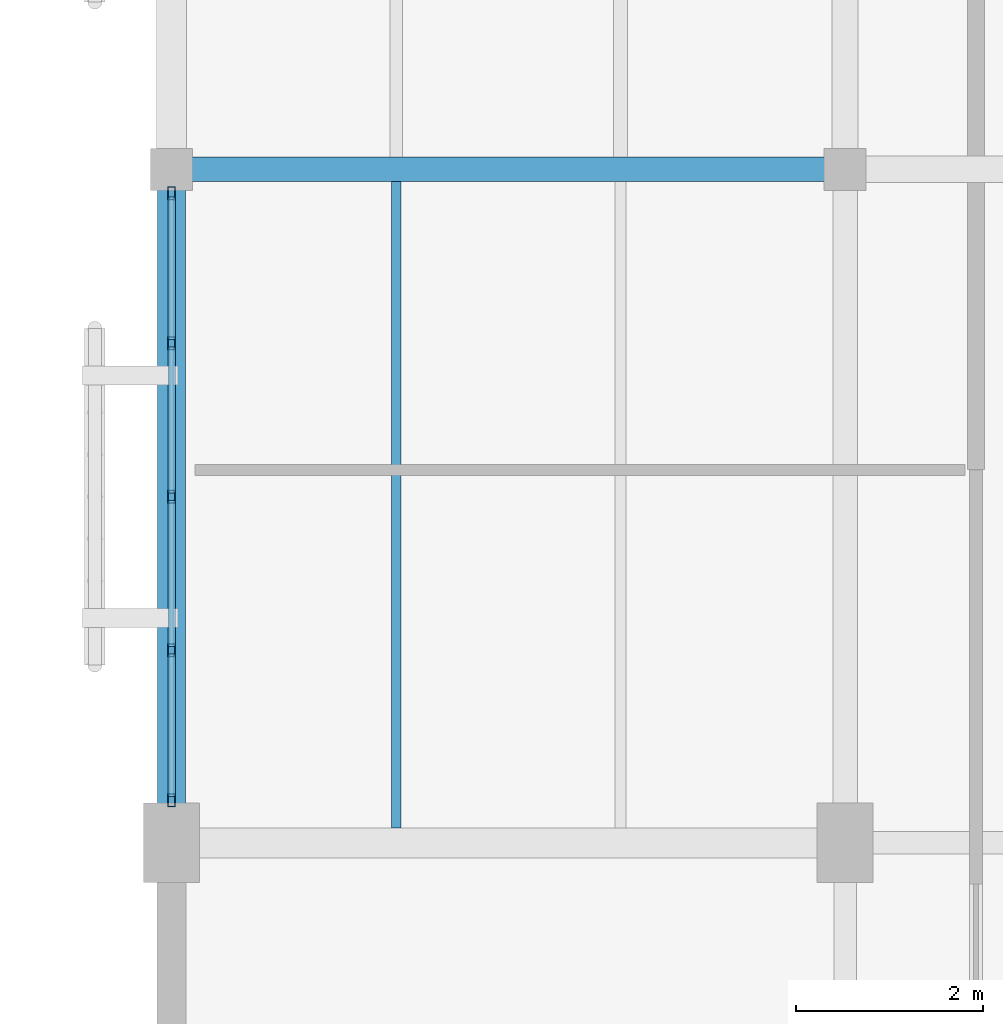
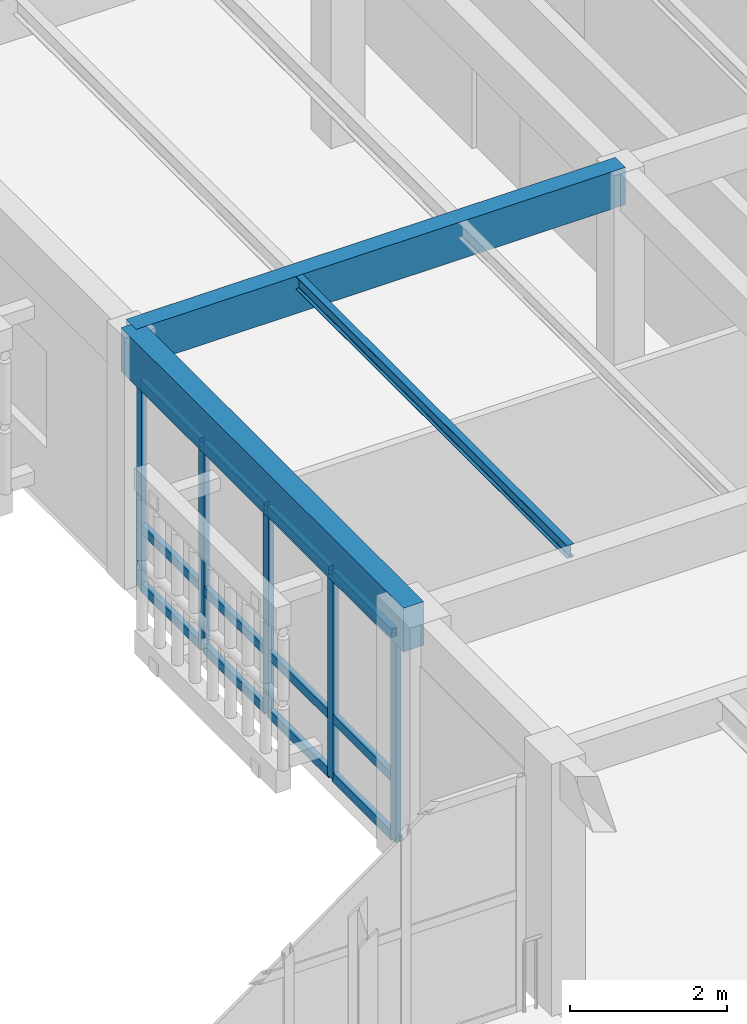
# One storey, part 82 of 170: 17 members, 3 beams, 1 element without a shape of its own.
"""IFC4 building model written with IfcOpenShell, lengths in metres."""

from ifc_helpers import new_model, si_unit, direction, frame, origin, origin_2d, place, context, subcontext, project, spatial, rectangle, hollow_rectangle, i_section, extrude, material, layer, layer_set, material_profile, profile_set, type_object, element, aggregate, save


model = new_model("IFC4")

# Units and contexts
model_context = context("Model", 3, precision=1e-05, world=origin(), true_north=direction((0.0, 1.0)))
body_context = subcontext(model_context, "Body", "Model", "MODEL_VIEW")
ifc_project = project(units=[si_unit("LENGTHUNIT", "METRE"), si_unit("AREAUNIT", "SQUARE_METRE"), si_unit("VOLUMEUNIT", "CUBIC_METRE"), si_unit("PLANEANGLEUNIT", "RADIAN"), si_unit("MASSUNIT", "GRAM", prefix="KILO")], contexts=[model_context])

# Site, building, storey
site_placement = place(None, origin())
site = spatial("IfcSite", under=ifc_project, at=site_placement, CompositionType="ELEMENT")
building_placement = place(site_placement, origin())
building = spatial("IfcBuilding", under=site, at=building_placement, Name="Mazaris Harbour Polytechnic", CompositionType="ELEMENT")
storey_placement = place(building_placement, frame((0.0, 0.0, 5.39990234375)))
storey = spatial("IfcBuildingStorey", under=building, at=storey_placement, Name="L01", CompositionType="ELEMENT", Elevation=5.39990234375)

# Curtain wall, members
ifc_material_1 = material(Name="Anodised Bronze Aluminium and Low-E Glass", Category="aluminium")
ifc_layer = layer(ifc_material_1, 0.169921875, Name="Anodised Bronze Aluminium and Low-E Glass")
ifc_layer_set = layer_set([ifc_layer], Name="Anodised Bronze Aluminium and Low-E Glass")
curtain_wall_type = type_object("IfcCurtainWallType", Name="Studio North-Light Curtain Wall", PredefinedType="NOTDEFINED", material=ifc_layer_set)
curtain_wall_placement = place(storey_placement, origin())
curtain_wall = element("IfcCurtainWall", 1, at=curtain_wall_placement, inside=storey, type_object=curtain_wall_type, Name="V5 L01 Curtain Wall 211", PredefinedType="NOTDEFINED")
ifc_material_2 = material(Name="Anodised Bronze Steel S355", Category="steel")
ifc_material_profile_1 = material_profile(ifc_material_2, hollow_rectangle(XDim=0.080078125, YDim=0.139892578125, WallThickness=0.00634765625, at=origin_2d()), Name="RHS 80x140x6.3")
ifc_profile_set_1 = profile_set([ifc_material_profile_1], Name="Anodised Bronze Steel S355")
member_type_1 = type_object("IfcMemberType", Name="Curtain Mullion RHS80x140", PredefinedType="MULLION", material=ifc_profile_set_1)
member_1_placement = place(storey_placement, frame((122.39990234375, 86.85693359375, 0.0), z_axis=(0.0, 0.0, 1.0), x_axis=(-1.0, 0.0, 0.0)))
member_1 = element("IfcMember", 2, at=member_1_placement, type_object=member_type_1, Name="CW-03 mullion 1", PredefinedType="MULLION", context=body_context, shape_type="SweptSolid", body=[
    extrude(hollow_rectangle(XDim=0.080078125, YDim=0.139892578125, WallThickness=0.00634765625, at=origin_2d()), origin(), (0.0, 0.0, 1.0), 3.22998046875),
])
member_2_placement = place(storey_placement, frame((122.39990234375, 88.45849609375, 0.0), z_axis=(0.0, 0.0, 1.0), x_axis=(-1.0, 0.0, 0.0)))
member_2 = element("IfcMember", 3, at=member_2_placement, type_object=member_type_1, Name="CW-03 mullion 2", PredefinedType="MULLION", context=body_context, shape_type="SweptSolid", body=[
    extrude(hollow_rectangle(XDim=0.080078125, YDim=0.139892578125, WallThickness=0.00634765625, at=origin_2d()), origin(), (0.0, 0.0, 1.0), 3.22998046875),
])
member_3_placement = place(storey_placement, frame((122.39990234375, 90.10009765625, 0.0), z_axis=(0.0, 0.0, 1.0), x_axis=(-1.0, 0.0, 0.0)))
member_3 = element("IfcMember", 4, at=member_3_placement, type_object=member_type_1, Name="CW-03 mullion 3", PredefinedType="MULLION", context=body_context, shape_type="SweptSolid", body=[
    extrude(hollow_rectangle(XDim=0.080078125, YDim=0.139892578125, WallThickness=0.00634765625, at=origin_2d()), origin(), (0.0, 0.0, 1.0), 3.22998046875),
])
member_4_placement = place(storey_placement, frame((122.39990234375, 91.741455078125, 0.0), z_axis=(0.0, 0.0, 1.0), x_axis=(-1.0, 0.0, 0.0)))
member_4 = element("IfcMember", 5, at=member_4_placement, type_object=member_type_1, Name="CW-03 mullion 4", PredefinedType="MULLION", context=body_context, shape_type="SweptSolid", body=[
    extrude(hollow_rectangle(XDim=0.080078125, YDim=0.139892578125, WallThickness=0.00634765625, at=origin_2d()), origin(), (0.0, 0.0, 1.0), 3.22998046875),
])
member_5_placement = place(storey_placement, frame((122.39990234375, 93.343017578125, 0.0), z_axis=(0.0, 0.0, 1.0), x_axis=(-1.0, 0.0, 0.0)))
member_5 = element("IfcMember", 6, at=member_5_placement, type_object=member_type_1, Name="CW-03 mullion 5", PredefinedType="MULLION", context=body_context, shape_type="SweptSolid", body=[
    extrude(hollow_rectangle(XDim=0.080078125, YDim=0.139892578125, WallThickness=0.00634765625, at=origin_2d()), origin(), (0.0, 0.0, 1.0), 3.22998046875),
])
ifc_material_3 = material(Name="Anodised Bronze Steel S355", Category="steel")
ifc_material_profile_2 = material_profile(ifc_material_3, hollow_rectangle(XDim=0.080078125, YDim=0.139892578125, WallThickness=0.00634765625, at=origin_2d()), Name="RHS 80x140x6.3")
ifc_profile_set_2 = profile_set([ifc_material_profile_2], Name="Anodised Bronze Steel S355")
member_type_2 = type_object("IfcMemberType", Name="Curtain Transom RHS80x140", PredefinedType="USERDEFINED", material=ifc_profile_set_2)
member_6_placement = place(storey_placement, frame((122.39990234375, 86.89697265625, 0.0400390625), z_axis=(0.0, 1.0, 0.0), x_axis=(-1.0, 0.0, 0.0)))
member_6 = element("IfcMember", 7, at=member_6_placement, type_object=member_type_2, Name="CW-03 transom 1.1", ObjectType="TRANSOM", PredefinedType="USERDEFINED", context=body_context, shape_type="SweptSolid", body=[
    extrude(hollow_rectangle(XDim=0.080078125, YDim=0.139892578125, WallThickness=0.00634765625, at=origin_2d()), origin(), (0.0, 0.0, 1.0), 1.521484375),
])
member_7_placement = place(storey_placement, frame((122.39990234375, 86.89697265625, 0.9501953125), z_axis=(0.0, 1.0, 0.0), x_axis=(-1.0, 0.0, 0.0)))
member_7 = element("IfcMember", 8, at=member_7_placement, type_object=member_type_2, Name="CW-03 transom 1.2", ObjectType="TRANSOM", PredefinedType="USERDEFINED", context=body_context, shape_type="SweptSolid", body=[
    extrude(hollow_rectangle(XDim=0.080078125, YDim=0.139892578125, WallThickness=0.00634765625, at=origin_2d()), origin(), (0.0, 0.0, 1.0), 1.521484375),
])
member_8_placement = place(storey_placement, frame((122.39990234375, 86.89697265625, 3.190185546875), z_axis=(0.0, 1.0, 0.0), x_axis=(-1.0, 0.0, 0.0)))
member_8 = element("IfcMember", 9, at=member_8_placement, type_object=member_type_2, Name="CW-03 transom 1.3", ObjectType="TRANSOM", PredefinedType="USERDEFINED", context=body_context, shape_type="SweptSolid", body=[
    extrude(hollow_rectangle(XDim=0.080078125, YDim=0.139892578125, WallThickness=0.00634765625, at=origin_2d()), origin(), (0.0, 0.0, 1.0), 1.521484375),
])
member_9_placement = place(storey_placement, frame((122.39990234375, 88.49853515625, 0.0400390625), z_axis=(0.0, 1.0, 0.0), x_axis=(-1.0, 0.0, 0.0)))
member_9 = element("IfcMember", 10, at=member_9_placement, type_object=member_type_2, Name="CW-03 transom 2.1", ObjectType="TRANSOM", PredefinedType="USERDEFINED", context=body_context, shape_type="SweptSolid", body=[
    extrude(hollow_rectangle(XDim=0.080078125, YDim=0.139892578125, WallThickness=0.00634765625, at=origin_2d()), origin(), (0.0, 0.0, 1.0), 1.5615234375),
])
member_10_placement = place(storey_placement, frame((122.39990234375, 88.49853515625, 0.9501953125), z_axis=(0.0, 1.0, 0.0), x_axis=(-1.0, 0.0, 0.0)))
member_10 = element("IfcMember", 11, at=member_10_placement, type_object=member_type_2, Name="CW-03 transom 2.2", ObjectType="TRANSOM", PredefinedType="USERDEFINED", context=body_context, shape_type="SweptSolid", body=[
    extrude(hollow_rectangle(XDim=0.080078125, YDim=0.139892578125, WallThickness=0.00634765625, at=origin_2d()), origin(), (0.0, 0.0, 1.0), 1.5615234375),
])
member_11_placement = place(storey_placement, frame((122.39990234375, 88.49853515625, 3.190185546875), z_axis=(0.0, 1.0, 0.0), x_axis=(-1.0, 0.0, 0.0)))
member_11 = element("IfcMember", 12, at=member_11_placement, type_object=member_type_2, Name="CW-03 transom 2.3", ObjectType="TRANSOM", PredefinedType="USERDEFINED", context=body_context, shape_type="SweptSolid", body=[
    extrude(hollow_rectangle(XDim=0.080078125, YDim=0.139892578125, WallThickness=0.00634765625, at=origin_2d()), origin(), (0.0, 0.0, 1.0), 1.5615234375),
])
member_12_placement = place(storey_placement, frame((122.39990234375, 90.139892578125, 0.0400390625), z_axis=(0.0, 1.0, 0.0), x_axis=(-1.0, 0.0, 0.0)))
member_12 = element("IfcMember", 13, at=member_12_placement, type_object=member_type_2, Name="CW-03 transom 3.1", ObjectType="TRANSOM", PredefinedType="USERDEFINED", context=body_context, shape_type="SweptSolid", body=[
    extrude(hollow_rectangle(XDim=0.080078125, YDim=0.139892578125, WallThickness=0.00634765625, at=origin_2d()), origin(), (0.0, 0.0, 1.0), 1.5615234375),
])
member_13_placement = place(storey_placement, frame((122.39990234375, 90.139892578125, 0.9501953125), z_axis=(0.0, 1.0, 0.0), x_axis=(-1.0, 0.0, 0.0)))
member_13 = element("IfcMember", 14, at=member_13_placement, type_object=member_type_2, Name="CW-03 transom 3.2", ObjectType="TRANSOM", PredefinedType="USERDEFINED", context=body_context, shape_type="SweptSolid", body=[
    extrude(hollow_rectangle(XDim=0.080078125, YDim=0.139892578125, WallThickness=0.00634765625, at=origin_2d()), origin(), (0.0, 0.0, 1.0), 1.5615234375),
])
member_14_placement = place(storey_placement, frame((122.39990234375, 90.139892578125, 3.190185546875), z_axis=(0.0, 1.0, 0.0), x_axis=(-1.0, 0.0, 0.0)))
member_14 = element("IfcMember", 15, at=member_14_placement, type_object=member_type_2, Name="CW-03 transom 3.3", ObjectType="TRANSOM", PredefinedType="USERDEFINED", context=body_context, shape_type="SweptSolid", body=[
    extrude(hollow_rectangle(XDim=0.080078125, YDim=0.139892578125, WallThickness=0.00634765625, at=origin_2d()), origin(), (0.0, 0.0, 1.0), 1.5615234375),
])
member_15_placement = place(storey_placement, frame((122.39990234375, 91.781494140625, 0.0400390625), z_axis=(0.0, 1.0, 0.0), x_axis=(-1.0, 0.0, 0.0)))
member_15 = element("IfcMember", 16, at=member_15_placement, type_object=member_type_2, Name="CW-03 transom 4.1", ObjectType="TRANSOM", PredefinedType="USERDEFINED", context=body_context, shape_type="SweptSolid", body=[
    extrude(hollow_rectangle(XDim=0.080078125, YDim=0.139892578125, WallThickness=0.00634765625, at=origin_2d()), origin(), (0.0, 0.0, 1.0), 1.521484375),
])
member_16_placement = place(storey_placement, frame((122.39990234375, 91.781494140625, 0.9501953125), z_axis=(0.0, 1.0, 0.0), x_axis=(-1.0, 0.0, 0.0)))
member_16 = element("IfcMember", 17, at=member_16_placement, type_object=member_type_2, Name="CW-03 transom 4.2", ObjectType="TRANSOM", PredefinedType="USERDEFINED", context=body_context, shape_type="SweptSolid", body=[
    extrude(hollow_rectangle(XDim=0.080078125, YDim=0.139892578125, WallThickness=0.00634765625, at=origin_2d()), origin(), (0.0, 0.0, 1.0), 1.521484375),
])
member_17_placement = place(storey_placement, frame((122.39990234375, 91.781494140625, 3.190185546875), z_axis=(0.0, 1.0, 0.0), x_axis=(-1.0, 0.0, 0.0)))
member_17 = element("IfcMember", 18, at=member_17_placement, type_object=member_type_2, Name="CW-03 transom 4.3", ObjectType="TRANSOM", PredefinedType="USERDEFINED", context=body_context, shape_type="SweptSolid", body=[
    extrude(hollow_rectangle(XDim=0.080078125, YDim=0.139892578125, WallThickness=0.00634765625, at=origin_2d()), origin(), (0.0, 0.0, 1.0), 1.521484375),
])
aggregate(curtain_wall, [member_1, member_2, member_3, member_4, member_5, member_6, member_7, member_8, member_9, member_10, member_11, member_12, member_13, member_14, member_15, member_16, member_17])

# Beams
ifc_material_4 = material(Name="Glulam GL32h", Category="wood")
ifc_material_profile_3 = material_profile(ifc_material_4, rectangle(XDim=0.260009765625, YDim=0.580078125, at=origin_2d()), Name="RECT260x580")
ifc_profile_set_3 = profile_set([ifc_material_profile_3], Name="Glulam GL32h")
beam_type_1 = type_object("IfcBeamType", Name="Glulam Girder 260x580", PredefinedType="BEAM", material=ifc_profile_set_3)
beam_1_placement = place(storey_placement, frame((122.39990234375, 93.60009765625, 3.630126953125), z_axis=(1.0, 0.0, 0.0), x_axis=(0.0, 1.0, 0.0)))
element("IfcBeam", 19, at=beam_1_placement, inside=storey, type_object=beam_type_1, Name="V5 L01 Girder 2946", PredefinedType="BEAM", context=body_context, shape_type="SweptSolid", body=[
    extrude(rectangle(XDim=0.260009765625, YDim=0.580078125, at=origin_2d()), origin(), (0.0, 0.0, 1.0), 7.2001953125),
])
ifc_material_5 = material(Name="Glulam GL32h", Category="wood")
ifc_material_profile_4 = material_profile(ifc_material_5, rectangle(XDim=0.300048828125, YDim=0.679931640625, at=origin_2d()), Name="RECT300x680")
ifc_profile_set_4 = profile_set([ifc_material_profile_4], Name="Glulam GL32h")
beam_type_2 = type_object("IfcBeamType", Name="Glulam Girder 300x680 Exterior", PredefinedType="BEAM", material=ifc_profile_set_4)
beam_2_placement = place(storey_placement, frame((122.39990234375, 86.39990234375, 3.580078125), z_axis=(0.0, 1.0, 0.0), x_axis=(-1.0, 0.0, 0.0)))
element("IfcBeam", 20, at=beam_2_placement, inside=storey, type_object=beam_type_2, Name="V5 L01 Tie Girder 2973", PredefinedType="BEAM", context=body_context, shape_type="SweptSolid", body=[
    extrude(rectangle(XDim=0.300048828125, YDim=0.679931640625, at=origin_2d()), origin(), (0.0, 0.0, 1.0), 7.2001953125),
])
ifc_material_6 = material(Name="Steel S355", Category="steel")
ifc_material_profile_5 = material_profile(ifc_material_6, i_section(OverallWidth=0.10009765625, OverallDepth=0.199951171875, WebThickness=0.005615234375, FlangeThickness=0.008544921875, FilletRadius=0.011962890625, at=origin_2d()), Name="IPE 200")
ifc_profile_set_5 = profile_set([ifc_material_profile_5], Name="Steel S355")
beam_type_3 = type_object("IfcBeamType", Name="Steel Joist IPE200", PredefinedType="JOIST", material=ifc_profile_set_5)
beam_3_placement = place(storey_placement, frame((124.800048828125, 86.56005859375, 3.820068359375), z_axis=(0.0, 1.0, 0.0), x_axis=(-1.0, 0.0, 0.0)))
element("IfcBeam", 21, at=beam_3_placement, inside=storey, type_object=beam_type_3, Name="V5 L01 Floor Joist 3038", PredefinedType="JOIST", context=body_context, shape_type="SweptSolid", body=[
    extrude(i_section(OverallWidth=0.10009765625, OverallDepth=0.199951171875, WebThickness=0.005615234375, FlangeThickness=0.008544921875, FilletRadius=0.011962890625, at=origin_2d()), origin(), (0.0, 0.0, 1.0), 6.909912109375),
])

save(model, "model.ifc")
